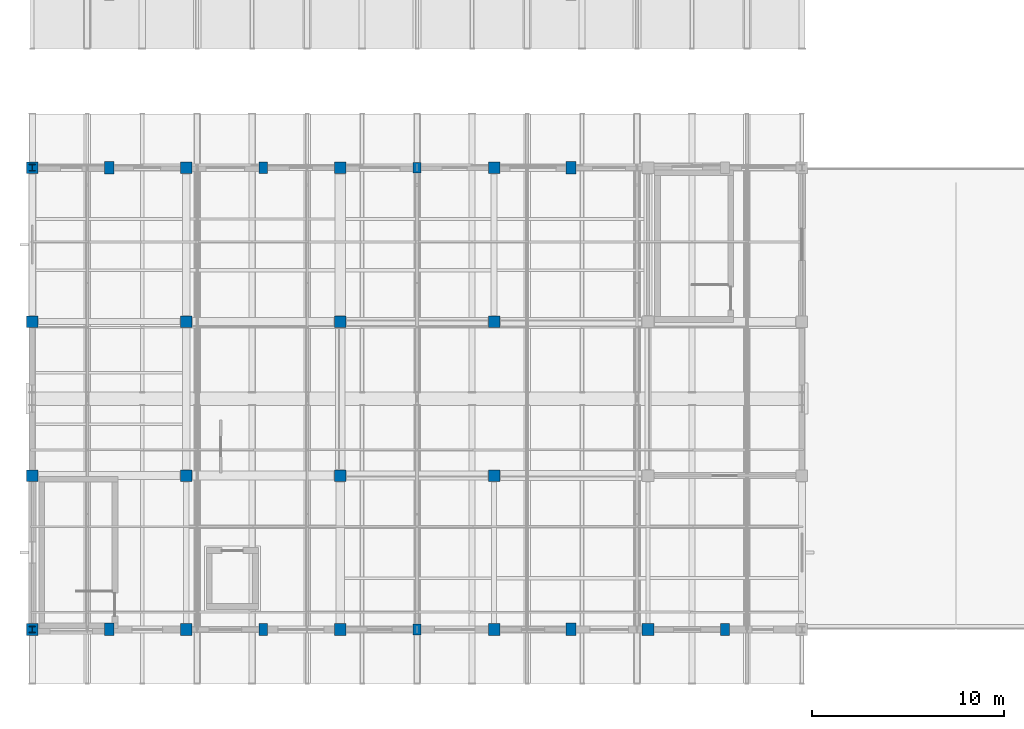
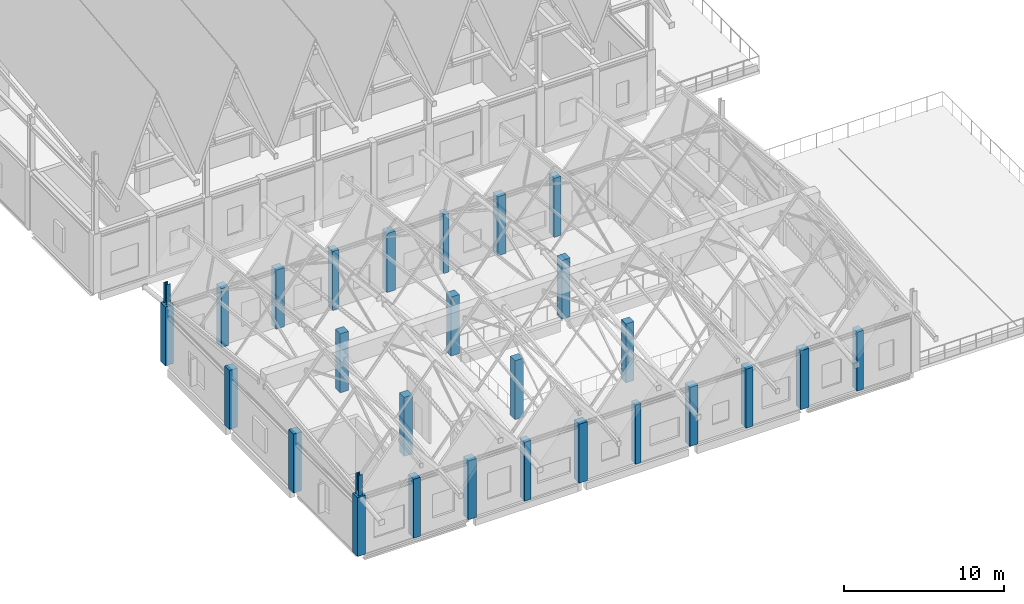
# One storey, part 1 of 77: 28 columns.
"""IFC4 building model written with IfcOpenShell, lengths in metres."""

import ifcopenshell
import ifcopenshell.guid

model = None  # the IFC model being written
_history = None  # IfcOwnerHistory: only IFC2X3 demands one
_inside = {}  # id of a spatial element -> (the spatial element, [elements in it])
_under = {}  # id of a project, library or spatial element -> (it, [spatial elements below it])
_declared = {}  # id of a project -> (the project, [libraries it declares])
_typed = {}  # id of a type object -> (the type object, [elements of that type])
_made_of = {}  # id of a material, layer set ... -> (it, [elements and type objects made of it])


def new_model(schema):
    """Start an empty IFC model of exactly this schema.

    Asked for "IFC4X3", IfcOpenShell would pick the latest addendum, in which some entities
    have other attributes; the version numbers below select the first issue.
    IFC2X3 requires an IfcOwnerHistory on every rooted entity: one is made here for all.
    """
    global model, _history
    if schema == "IFC4X3":
        model = ifcopenshell.file(schema_version=(4, 3, 0, 0))
    else:
        model = ifcopenshell.file(schema=schema)
    _inside.clear()
    _under.clear()
    _declared.clear()
    _typed.clear()
    _made_of.clear()
    _history = None
    if model.schema == "IFC2X3":
        org = make("IfcOrganization", Name="unknown")
        user = make(
            "IfcPersonAndOrganization",
            ThePerson=make("IfcPerson", FamilyName="unknown"),
            TheOrganization=org,
        )
        app = make(
            "IfcApplication",
            ApplicationDeveloper=org,
            Version="unknown",
            ApplicationFullName="unknown",
            ApplicationIdentifier="unknown",
        )
        _history = make(
            "IfcOwnerHistory",
            OwningUser=user,
            OwningApplication=app,
            ChangeAction="ADDED",
            CreationDate=0,
        )
    return model


def make(cls, **values):
    """One entity of the class cls with the attributes given. An attribute that is None is left unset."""
    return model.create_entity(
        cls, **{name: value for name, value in values.items() if value is not None}
    )


def rooted(cls, **values):
    """An entity with a GlobalId (a new one), such as an element, a storey or a relation."""
    return make(cls, GlobalId=ifcopenshell.guid.new(), OwnerHistory=_history, **values)


def si_unit(unit_type, name, prefix=None):
    """IfcSIUnit, for example si_unit("LENGTHUNIT", "METRE", prefix="MILLI")."""
    return make("IfcSIUnit", UnitType=unit_type, Prefix=prefix, Name=name)


def assignment(units):
    """IfcUnitAssignment: the units of a project."""
    return None if units is None else make("IfcUnitAssignment", Units=units)


def point(xyz):
    """IfcCartesianPoint."""
    return None if xyz is None else make("IfcCartesianPoint", Coordinates=xyz)


def direction(xyz):
    """IfcDirection."""
    return None if xyz is None else make("IfcDirection", DirectionRatios=xyz)


def frame(location, z_axis=None, x_axis=None):
    """IfcAxis2Placement3D, a coordinate frame: its origin and axes. An axis left out is left unset."""
    return make(
        "IfcAxis2Placement3D",
        Location=point(location),
        Axis=direction(z_axis),
        RefDirection=direction(x_axis),
    )


def frame_2d(location, x_axis=None):
    """IfcAxis2Placement2D, a coordinate frame in the plane: its origin and x axis."""
    return make(
        "IfcAxis2Placement2D", Location=point(location), RefDirection=direction(x_axis)
    )


def origin():
    """The frame at (0, 0, 0) with its axes left unset."""
    return frame((0.0, 0.0, 0.0))


def origin_2d():
    """The frame at (0, 0) in the plane with its x axis left unset."""
    return frame_2d((0.0, 0.0))


def place(relative_to, where):
    """IfcLocalPlacement: puts the frame where relative to a parent placement (None: the world)."""
    return make(
        "IfcLocalPlacement", PlacementRelTo=relative_to, RelativePlacement=where
    )


def context(
    kind, dimensions, precision=None, world=None, true_north=None, identifier=None
):
    """IfcGeometricRepresentationContext, for example the 3D "Model" context."""
    return make(
        "IfcGeometricRepresentationContext",
        ContextIdentifier=identifier,
        ContextType=kind,
        CoordinateSpaceDimension=dimensions,
        Precision=precision,
        WorldCoordinateSystem=world,
        TrueNorth=true_north,
    )


def subcontext(parent, identifier, kind, view, scale=None):
    """IfcGeometricRepresentationSubContext, for example "Body" below "Model"."""
    return make(
        "IfcGeometricRepresentationSubContext",
        ContextIdentifier=identifier,
        ContextType=kind,
        ParentContext=parent,
        TargetScale=scale,
        TargetView=view,
    )


def project(units=None, contexts=None):
    """IfcProject with its units and contexts."""
    return rooted(
        "IfcProject",
        Name="project",
        RepresentationContexts=contexts,
        UnitsInContext=assignment(units),
    )


def spatial(cls, under=None, at=None, **own):
    """A site, building, storey or space (cls), placed at a placement, below another one or the project."""
    s = rooted(cls, ObjectPlacement=at, **own)
    if under is not None:
        _under.setdefault(under.id(), (under, []))[1].append(s)
    return s


def profile(cls, at=None, kind="AREA", **sizes):
    """A parametric profile (cls). Its sizes go by their IFC names, for example OverallWidth=200.0."""
    return make(cls, ProfileType=kind, Position=at, **sizes)


def rectangle(**sizes):
    """IfcRectangleProfileDef."""
    return profile("IfcRectangleProfileDef", **sizes)


def i_section(**sizes):
    """IfcIShapeProfileDef."""
    return profile("IfcIShapeProfileDef", **sizes)


def extrude(swept, where, along, depth):
    """IfcExtrudedAreaSolid: the profile swept, set in the frame where, extruded along a direction by depth."""
    return make(
        "IfcExtrudedAreaSolid",
        SweptArea=swept,
        Position=where,
        ExtrudedDirection=direction(along),
        Depth=depth,
    )


def shape(context_of_items, identifier, shape_type, items):
    """IfcShapeRepresentation: the items that make up one representation, for example the "Body"."""
    return make(
        "IfcShapeRepresentation",
        ContextOfItems=context_of_items,
        RepresentationIdentifier=identifier,
        RepresentationType=shape_type,
        Items=items,
    )


def material(Name=None, Category=None):
    """IfcMaterial."""
    return make("IfcMaterial", Name=Name, Category=Category)


def material_profile(
    of_material, cross_section, Name=None, Category=None, Priority=None
):
    """IfcMaterialProfile: a cross section and its material."""
    return make(
        "IfcMaterialProfile",
        Name=Name,
        Material=of_material,
        Profile=cross_section,
        Priority=Priority,
        Category=Category,
    )


def profile_set(profiles, Name=None, composite=None):
    """IfcMaterialProfileSet."""
    return make(
        "IfcMaterialProfileSet",
        Name=Name,
        MaterialProfiles=profiles,
        CompositeProfile=composite,
    )


def made_of(thing, what):
    """Note that an element or type object is made of a material, layer set ...; save() writes the relation."""
    if what is not None:
        _made_of.setdefault(what.id(), (what, []))[1].append(thing)
    return thing


def type_object(cls, material=None, **own):
    """A type object (cls), such as IfcWallType, which elements share."""
    return made_of(rooted(cls, **own), material)


def element(
    cls,
    number,
    at=None,
    inside=None,
    cuts=None,
    type_object=None,
    material=None,
    context=None,
    identifier="Body",
    shape_type=None,
    held_by="IfcProductDefinitionShape",
    body=None,
    shapes=None,
    **own,
):
    """One element of the class cls, such as IfcWall. Its Tag is "e" and its number.

    at: its placement. inside: the storey or other place that contains it. cuts: it is an
    opening in that element (IfcRelVoidsElement). A single representation is given by context,
    identifier, shape_type and body (its items); several are given by shapes. held_by: the class
    of the entity that holds the representations. save() writes the other relations.
    """
    e = rooted(cls, Tag="e%d" % number, ObjectPlacement=at, **own)
    if body is not None:
        shapes = [shape(context, identifier, shape_type, body)]
    if shapes is not None:
        e.Representation = make(held_by, Representations=shapes)
    if inside is not None:
        _inside.setdefault(inside.id(), (inside, []))[1].append(e)
    if cuts is not None:
        rooted(
            "IfcRelVoidsElement", RelatingBuildingElement=cuts, RelatedOpeningElement=e
        )
    if type_object is not None:
        _typed.setdefault(type_object.id(), (type_object, []))[1].append(e)
    return made_of(e, material)


def aggregate(whole, parts):
    """IfcRelAggregates: a whole, such as a stair, and the parts it consists of."""
    return rooted("IfcRelAggregates", RelatingObject=whole, RelatedObjects=parts)


def save(model, path):
    """Write the relations noted so far, then the file.

    IfcRelAggregates (storeys below a building ...), IfcRelContainedInSpatialStructure (elements
    in a storey), IfcRelDefinesByType, IfcRelAssociatesMaterial and IfcRelDeclares: one each for
    every whole, place, type object, material and project.
    """
    for whole, parts in _under.values():
        aggregate(whole, parts)
    for where, things in _inside.values():
        rooted(
            "IfcRelContainedInSpatialStructure",
            RelatedElements=things,
            RelatingStructure=where,
        )
    for kind, things in _typed.values():
        rooted("IfcRelDefinesByType", RelatedObjects=things, RelatingType=kind)
    for what, things in _made_of.values():
        rooted("IfcRelAssociatesMaterial", RelatedObjects=things, RelatingMaterial=what)
    for by, libraries in _declared.values():
        rooted("IfcRelDeclares", RelatingContext=by, RelatedDefinitions=libraries)
    model.write(path)


model = new_model("IFC4")

# Units and contexts
model_context = context("Model", 3, precision=1e-05, world=origin(), true_north=direction((0.0, 1.0)))
body_context = subcontext(model_context, "Body", "Model", "MODEL_VIEW")
ifc_project = project(units=[si_unit("LENGTHUNIT", "METRE"), si_unit("AREAUNIT", "SQUARE_METRE"), si_unit("VOLUMEUNIT", "CUBIC_METRE"), si_unit("PLANEANGLEUNIT", "RADIAN"), si_unit("MASSUNIT", "GRAM", prefix="KILO")], contexts=[model_context])

# Site, building, storey
site_placement = place(None, origin())
site = spatial("IfcSite", under=ifc_project, at=site_placement, CompositionType="ELEMENT")
building_placement = place(site_placement, origin())
building = spatial("IfcBuilding", under=site, at=building_placement, Name="Luwemba Playhouse", CompositionType="ELEMENT")
storey_placement = place(building_placement, frame((0.0, 0.0, 9.300048828125)))
storey = spatial("IfcBuildingStorey", under=building, at=storey_placement, Name="L02", CompositionType="ELEMENT", Elevation=9.300048828125)

# Columns
ifc_material_1 = material(Name="Concrete C40/50", Category="concrete")
ifc_material_profile_1 = material_profile(ifc_material_1, rectangle(XDim=0.60009765625, YDim=0.60009765625, at=origin_2d()))
ifc_profile_set_1 = profile_set([ifc_material_profile_1], Name="Concrete C40/50")
column_type_1 = type_object("IfcColumnType", Name="COL-C04", PredefinedType="COLUMN", material=ifc_profile_set_1)
for number, where, z_axis, x_axis, name in (
    (1, (4.0, 3.0, 0.0), (0.0, 0.0, 1.0), (1.0, 0.0, 0.0), "L02 column 001"),
    (2, (4.0, 11.0, 0.0), (0.0, 0.0, 1.0), (1.0, 0.0, 0.0), "L02 column 002"),
    (3, (4.0, 19.0, 0.0), (0.0, 0.0, 1.0), (1.0, 0.0, 0.0), "L02 column 003"),
    (4, (4.0, 27.0, 0.0), (0.0, 0.0, 1.0), (1.0, 0.0, 0.0), "L02 column 004"),
    (5, (12.0, 3.0, 0.0), (0.0, 0.0, 1.0), (1.0, 0.0, 0.0), "L02 column 022"),
    (6, (12.0, 11.0, 0.0), (0.0, 0.0, 1.0), (1.0, 0.0, 0.0), "L02 column 023"),
    (7, (12.0, 19.0, 0.0), (0.0, 0.0, 1.0), (1.0, 0.0, 0.0), "L02 column 024"),
    (8, (12.0, 27.0, 0.0), (0.0, 0.0, 1.0), (1.0, 0.0, 0.0), "L02 column 025"),
    (9, (20.0, 3.0, 0.0), (0.0, 0.0, 1.0), (1.0, 0.0, 0.0), "L02 column 041"),
    (10, (20.0, 11.0, 0.0), (0.0, 0.0, 1.0), (1.0, 0.0, 0.0), "L02 column 042"),
    (11, (20.0, 19.0, 0.0), (0.0, 0.0, 1.0), (1.0, 0.0, 0.0), "L02 column 043"),
    (12, (20.0, 27.0, 0.0), (0.0, 0.0, 1.0), (1.0, 0.0, 0.0), "L02 column 044"),
    (13, (28.0, 3.0, 0.0), (0.0, 0.0, 1.0), (1.0, 0.0, 0.0), "L02 column 057"),
    (14, (28.0, 11.0, 0.0), (0.0, 0.0, 1.0), (1.0, 0.0, 0.0), "L02 column 058"),
    (15, (28.0, 19.0, 0.0), (0.0, 0.0, 1.0), (1.0, 0.0, 0.0), "L02 column 059"),
    (16, (28.0, 27.0, 0.0), (0.0, 0.0, 1.0), (1.0, 0.0, 0.0), "L02 column 060"),
    (17, (36.0, 3.0, 0.0), (0.0, 0.0, 1.0), (1.0, 0.0, 0.0), "L02 column 075"),
):
    element("IfcColumn", number, at=place(storey_placement, frame(where, z_axis=z_axis, x_axis=x_axis)), inside=storey, type_object=column_type_1, Name=name, PredefinedType="COLUMN", context=body_context, shape_type="SweptSolid", body=[
        extrude(rectangle(XDim=0.60009765625, YDim=0.60009765625, at=origin_2d()), origin(), (0.0, 0.0, 1.0), 4.5),
    ])
ifc_material_profile_2 = material_profile(ifc_material_1, rectangle(XDim=0.39990234375, YDim=0.550048828125, at=origin_2d()))
ifc_profile_set_2 = profile_set([ifc_material_profile_2], Name="Concrete C40/50")
column_type_2 = type_object("IfcColumnType", Name="COL-PIL1", PredefinedType="PILASTER", material=ifc_profile_set_2)
for number, where, z_axis, x_axis, name in (
    (18, (24.0, 3.0, 0.0), (0.0, 0.0, 1.0), (1.0, 0.0, 0.0), "L02 column 053"),
    (19, (24.0, 27.0, 0.0), (0.0, 0.0, 1.0), (1.0, 0.0, 0.0), "L02 column 054"),
):
    element("IfcColumn", number, at=place(storey_placement, frame(where, z_axis=z_axis, x_axis=x_axis)), inside=storey, type_object=column_type_2, Name=name, PredefinedType="PILASTER", context=body_context, shape_type="SweptSolid", body=[
        extrude(rectangle(XDim=0.39990234375, YDim=0.550048828125, at=origin_2d()), origin(), (0.0, 0.0, 1.0), 4.5),
    ])
ifc_material_profile_3 = material_profile(ifc_material_1, rectangle(XDim=0.449951171875, YDim=0.60009765625, at=origin_2d()))
ifc_profile_set_3 = profile_set([ifc_material_profile_3], Name="Concrete C40/50")
column_type_3 = type_object("IfcColumnType", Name="COL-PIL2", PredefinedType="PILASTER", material=ifc_profile_set_3)
for number, where, z_axis, x_axis, name in (
    (20, (16.0, 3.0, 0.0), (0.0, 0.0, 1.0), (1.0, 0.0, 0.0), "L02 column 037"),
    (21, (16.0, 27.0, 0.0), (0.0, 0.0, 1.0), (1.0, 0.0, 0.0), "L02 column 038"),
    (22, (40.0, 3.0, 0.0), (0.0, 0.0, 1.0), (1.0, 0.0, 0.0), "L02 column 087"),
):
    element("IfcColumn", number, at=place(storey_placement, frame(where, z_axis=z_axis, x_axis=x_axis)), inside=storey, type_object=column_type_3, Name=name, PredefinedType="PILASTER", context=body_context, shape_type="SweptSolid", body=[
        extrude(rectangle(XDim=0.449951171875, YDim=0.60009765625, at=origin_2d()), origin(), (0.0, 0.0, 1.0), 4.5),
    ])
ifc_material_profile_4 = material_profile(ifc_material_1, rectangle(XDim=0.5, YDim=0.64990234375, at=origin_2d()))
ifc_profile_set_4 = profile_set([ifc_material_profile_4], Name="Concrete C40/50")
column_type_4 = type_object("IfcColumnType", Name="COL-PIL3", PredefinedType="PILASTER", material=ifc_profile_set_4)
for number, where, z_axis, x_axis, name in (
    (23, (8.0, 3.0, 0.0), (0.0, 0.0, 1.0), (1.0, 0.0, 0.0), "L02 column 016"),
    (24, (8.0, 27.0, 0.0), (0.0, 0.0, 1.0), (1.0, 0.0, 0.0), "L02 column 017"),
    (25, (32.0, 3.0, 0.0), (0.0, 0.0, 1.0), (1.0, 0.0, 0.0), "L02 column 069"),
    (26, (32.0, 27.0, 0.0), (0.0, 0.0, 1.0), (1.0, 0.0, 0.0), "L02 column 070"),
):
    element("IfcColumn", number, at=place(storey_placement, frame(where, z_axis=z_axis, x_axis=x_axis)), inside=storey, type_object=column_type_4, Name=name, PredefinedType="PILASTER", context=body_context, shape_type="SweptSolid", body=[
        extrude(rectangle(XDim=0.5, YDim=0.64990234375, at=origin_2d()), origin(), (0.0, 0.0, 1.0), 4.5),
    ])
ifc_material_2 = material(Name="Steel S355", Category="steel")
ifc_material_profile_5 = material_profile(ifc_material_2, i_section(OverallWidth=0.300048828125, OverallDepth=0.340087890625, WebThickness=0.011962890625, FlangeThickness=0.021484375, FilletRadius=0.027099609375, at=origin_2d()))
ifc_profile_set_5 = profile_set([ifc_material_profile_5], Name="Steel S355")
column_type_5 = type_object("IfcColumnType", Name="COL-SC2", PredefinedType="COLUMN", material=ifc_profile_set_5)
for number, where, z_axis, x_axis, name in (
    (27, (4.0, 3.0, 4.5), (0.0, 0.0, 1.0), (1.0, 0.0, 0.0), "RF-V5W south corner apex stub"),
    (28, (4.0, 27.0, 4.5), (0.0, 0.0, 1.0), (1.0, 0.0, 0.0), "RF-V5W north corner apex stub"),
):
    element("IfcColumn", number, at=place(storey_placement, frame(where, z_axis=z_axis, x_axis=x_axis)), inside=storey, type_object=column_type_5, Name=name, PredefinedType="COLUMN", context=body_context, shape_type="SweptSolid", body=[
        extrude(i_section(OverallWidth=0.300048828125, OverallDepth=0.340087890625, WebThickness=0.011962890625, FlangeThickness=0.021484375, FilletRadius=0.027099609375, at=origin_2d()), origin(), (0.0, 0.0, 1.0), 1.56591796875),
    ])

save(model, "model.ifc")
